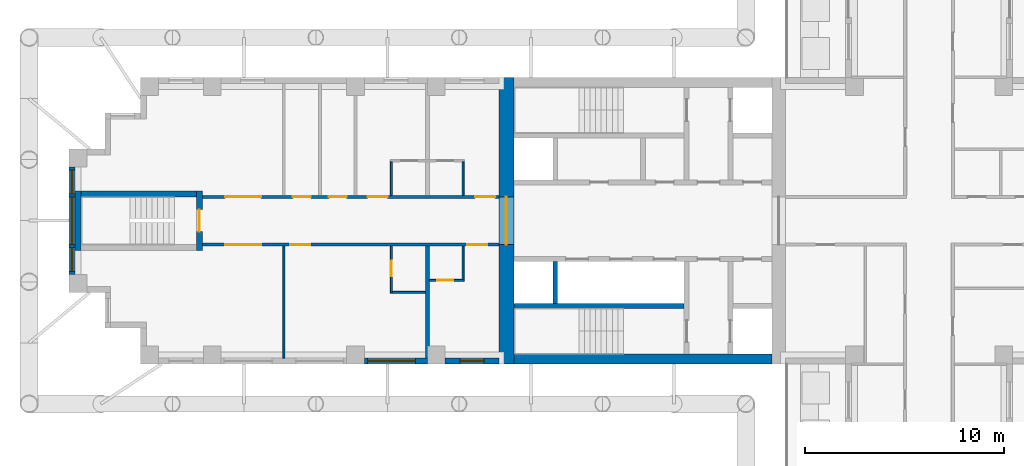
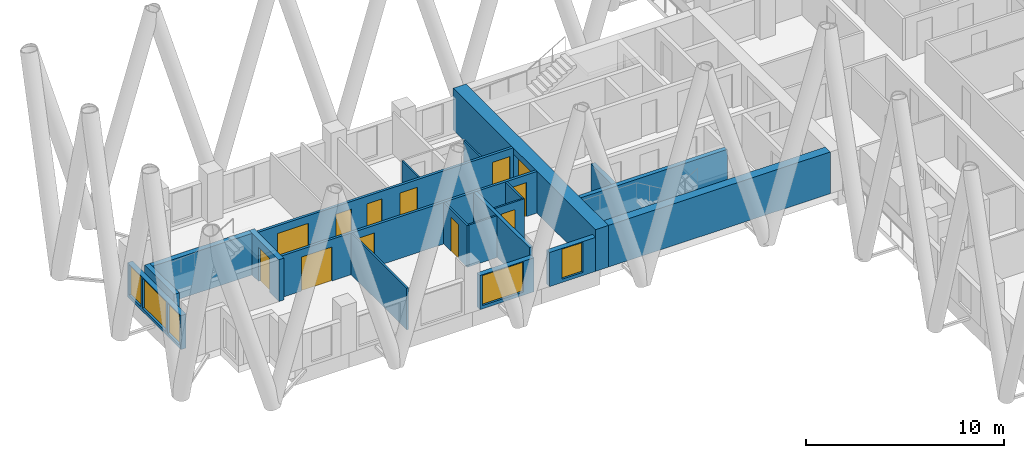
# One storey, part 6 of 16: 20 walls, 12 doors, 5 windows, 17 openings.
"""IFC4 building model written with IfcOpenShell, lengths in metres."""

from ifc_helpers import new_model, si_unit, direction, frame, frame_2d, origin, place, context, subcontext, project, spatial, rectangle, extrude, material, layer, layer_set, type_object, element, fill, save


model = new_model("IFC4")

# Units and contexts
model_context = context("Model", 3, precision=1e-05, world=origin(), true_north=direction((0.0, 1.0)))
body_context = subcontext(model_context, "Body", "Model", "MODEL_VIEW")
ifc_project = project(units=[si_unit("LENGTHUNIT", "METRE"), si_unit("AREAUNIT", "SQUARE_METRE"), si_unit("VOLUMEUNIT", "CUBIC_METRE"), si_unit("PLANEANGLEUNIT", "RADIAN"), si_unit("MASSUNIT", "GRAM", prefix="KILO")], contexts=[model_context])

# Site, building, storey
site_placement = place(None, origin())
site = spatial("IfcSite", under=ifc_project, at=site_placement, CompositionType="ELEMENT")
building_placement = place(site_placement, origin())
building = spatial("IfcBuilding", under=site, at=building_placement, Name="Fustian Cross Tower", CompositionType="ELEMENT")
storey_placement = place(building_placement, frame((0.0, 0.0, 44.699951171875)))
storey = spatial("IfcBuildingStorey", under=building, at=storey_placement, Name="L13", CompositionType="ELEMENT", Elevation=44.699951171875)

# Wall, openings, doors
ifc_material_1 = material(Name="Plasterboard on steel stud", Category="steel")
ifc_layer_1 = layer(ifc_material_1, 0.14990234375)
ifc_layer_set_1 = layer_set([ifc_layer_1], Name="Plasterboard on steel stud")
wall_type_1 = type_object("IfcWallType", Name="COMPARTMENT WALL 150 EI 60", PredefinedType="PARTITIONING", material=ifc_layer_set_1)
wall_1_placement = place(storey_placement, frame((-36.5, -1.199951171875, 0.0), z_axis=(0.0, 0.0, 1.0), x_axis=(1.0, 0.0, 0.0)))
wall_1 = element("IfcWall", 1, at=wall_1_placement, inside=storey, type_object=wall_type_1, Name="Partition 1", PredefinedType="PARTITIONING", context=body_context, shape_type="SweptSolid", body=[
    extrude(rectangle(XDim=14.89990234375, YDim=0.14990234375, at=frame_2d((7.449951171875, 0.0))), origin(), (0.0, 0.0, 1.0), 2.574951171875),
])
opening_1_placement = place(wall_1_placement, frame((13.300048828125, 0.0, 0.0)))
opening_1 = element("IfcOpeningElement", 2, at=opening_1_placement, cuts=wall_1, Name="Opening D08037", PredefinedType="OPENING", context=body_context, shape_type="SweptSolid", body=[
    extrude(rectangle(XDim=1.0, YDim=2.10009765625, at=frame_2d((0.5, 1.050048828125))), frame((0.0, 0.0849609375, 0.0), z_axis=(0.0, -1.0, 0.0), x_axis=(1.0, 0.0, 0.0)), (0.0, 0.0, 1.0), 0.169921875),
])
opening_2_placement = place(wall_1_placement, frame((4.409912109375, 0.0, 0.0)))
opening_2 = element("IfcOpeningElement", 3, at=opening_2_placement, cuts=wall_1, Name="Opening D08039", PredefinedType="OPENING", context=body_context, shape_type="SweptSolid", body=[
    extrude(rectangle(XDim=1.0, YDim=2.10009765625, at=frame_2d((0.5, 1.050048828125))), frame((0.0, 0.0849609375, 0.0), z_axis=(0.0, -1.0, 0.0), x_axis=(1.0, 0.0, 0.0)), (0.0, 0.0, 1.0), 0.169921875),
])
opening_3_placement = place(wall_1_placement, frame((1.14990234375, 0.0, 0.0)))
opening_3 = element("IfcOpeningElement", 4, at=opening_3_placement, cuts=wall_1, Name="Opening D08040", PredefinedType="OPENING", context=body_context, shape_type="SweptSolid", body=[
    extrude(rectangle(XDim=1.800048828125, YDim=2.10009765625, at=frame_2d((0.89990234375, 1.050048828125))), frame((0.0, 0.0849609375, 0.0), z_axis=(0.0, -1.0, 0.0), x_axis=(1.0, 0.0, 0.0)), (0.0, 0.0, 1.0), 0.169921875),
])
ifc_material_2 = material(Name="Timber fire door set", Category="wood")
door_type_1 = type_object("IfcDoorType", Name="FIRE DOUBLE DOOR 1800 FD30S", OperationType="DOUBLE_DOOR_DOUBLE_SWING", PredefinedType="DOOR", material=ifc_material_2)
door_1_placement = place(opening_3_placement, origin())
door_1 = element("IfcDoor", 5, at=door_1_placement, inside=storey, type_object=door_type_1, Name="Door D08040", OperationType="DOUBLE_DOOR_DOUBLE_SWING", OverallHeight=2.10009765625, OverallWidth=1.800048828125, PredefinedType="DOOR", context=body_context, shape_type="SweptSolid", body=[
    extrude(rectangle(XDim=1.800048828125, YDim=2.10009765625, at=frame_2d((0.89990234375, 1.050048828125))), frame((0.0, 0.02490234375, 0.0), z_axis=(0.0, -1.0, 0.0), x_axis=(1.0, 0.0, 0.0)), (0.0, 0.0, 1.0), 0.050048828125),
])
fill(opening_3, door_1)
ifc_material_3 = material(Name="Timber fire door set", Category="wood")
door_type_2 = type_object("IfcDoorType", Name="FIRE SWING DOOR 1000 FD30S", OperationType="SINGLE_SWING_LEFT", PredefinedType="DOOR", material=ifc_material_3)
door_2_placement = place(opening_1_placement, frame((1.0, 0.0, 0.0), z_axis=(0.0, 0.0, 1.0), x_axis=(-1.0, 0.0, 0.0)))
door_2 = element("IfcDoor", 6, at=door_2_placement, inside=storey, type_object=door_type_2, Name="Door D08037", OperationType="SINGLE_SWING_RIGHT", OverallHeight=2.10009765625, OverallWidth=1.0, PredefinedType="DOOR", context=body_context, shape_type="SweptSolid", body=[
    extrude(rectangle(XDim=1.0, YDim=2.10009765625, at=frame_2d((0.5, 1.050048828125))), frame((0.0, 0.02490234375, 0.0), z_axis=(0.0, -1.0, 0.0), x_axis=(1.0, 0.0, 0.0)), (0.0, 0.0, 1.0), 0.050048828125),
])
fill(opening_1, door_2)
door_3_placement = place(opening_2_placement, frame((1.0, 0.0, 0.0), z_axis=(0.0, 0.0, 1.0), x_axis=(-1.0, 0.0, 0.0)))
door_3 = element("IfcDoor", 7, at=door_3_placement, inside=storey, type_object=door_type_2, Name="Door D08039", OperationType="SINGLE_SWING_RIGHT", OverallHeight=2.10009765625, OverallWidth=1.0, PredefinedType="DOOR", context=body_context, shape_type="SweptSolid", body=[
    extrude(rectangle(XDim=1.0, YDim=2.10009765625, at=frame_2d((0.5, 1.050048828125))), frame((0.0, 0.02490234375, 0.0), z_axis=(0.0, -1.0, 0.0), x_axis=(1.0, 0.0, 0.0)), (0.0, 0.0, 1.0), 0.050048828125),
])
fill(opening_2, door_3)

wall_2_placement = place(storey_placement, frame((-36.5, 1.199951171875, 0.0), z_axis=(0.0, 0.0, 1.0), x_axis=(1.0, 0.0, 0.0)))
wall_2 = element("IfcWall", 8, at=wall_2_placement, inside=storey, type_object=wall_type_1, Name="Partition 2", PredefinedType="PARTITIONING", context=body_context, shape_type="SweptSolid", body=[
    extrude(rectangle(XDim=14.89990234375, YDim=0.14990234375, at=frame_2d((7.449951171875, 0.0))), origin(), (0.0, 0.0, 1.0), 2.574951171875),
])
opening_4_placement = place(wall_2_placement, frame((13.699951171875, 0.0, 0.0)))
opening_4 = element("IfcOpeningElement", 9, at=opening_4_placement, cuts=wall_2, Name="Opening D08042", PredefinedType="OPENING", context=body_context, shape_type="SweptSolid", body=[
    extrude(rectangle(XDim=1.0, YDim=2.10009765625, at=frame_2d((0.5, 1.050048828125))), frame((0.0, 0.0849609375, 0.0), z_axis=(0.0, -1.0, 0.0), x_axis=(1.0, 0.0, 0.0)), (0.0, 0.0, 1.0), 0.169921875),
])
opening_5_placement = place(wall_2_placement, frame((8.300048828125, 0.0, 0.0)))
opening_5 = element("IfcOpeningElement", 10, at=opening_5_placement, cuts=wall_2, Name="Opening D08044", PredefinedType="OPENING", context=body_context, shape_type="SweptSolid", body=[
    extrude(rectangle(XDim=1.0, YDim=2.10009765625, at=frame_2d((0.5, 1.050048828125))), frame((0.0, 0.0849609375, 0.0), z_axis=(0.0, -1.0, 0.0), x_axis=(1.0, 0.0, 0.0)), (0.0, 0.0, 1.0), 0.169921875),
])
opening_6_placement = place(wall_2_placement, frame((6.35009765625, 0.0, 0.0)))
opening_6 = element("IfcOpeningElement", 11, at=opening_6_placement, cuts=wall_2, Name="Opening D08045", PredefinedType="OPENING", context=body_context, shape_type="SweptSolid", body=[
    extrude(rectangle(XDim=0.89990234375, YDim=2.10009765625, at=frame_2d((0.449951171875, 1.050048828125))), frame((0.0, 0.0849609375, 0.0), z_axis=(0.0, -1.0, 0.0), x_axis=(1.0, 0.0, 0.0)), (0.0, 0.0, 1.0), 0.169921875),
])
opening_7_placement = place(wall_2_placement, frame((4.550048828125, 0.0, 0.0)))
opening_7 = element("IfcOpeningElement", 12, at=opening_7_placement, cuts=wall_2, Name="Opening D08046", PredefinedType="OPENING", context=body_context, shape_type="SweptSolid", body=[
    extrude(rectangle(XDim=0.89990234375, YDim=2.10009765625, at=frame_2d((0.449951171875, 1.050048828125))), frame((0.0, 0.0849609375, 0.0), z_axis=(0.0, -1.0, 0.0), x_axis=(1.0, 0.0, 0.0)), (0.0, 0.0, 1.0), 0.169921875),
])
opening_8_placement = place(wall_2_placement, frame((1.14990234375, 0.0, 0.0)))
opening_8 = element("IfcOpeningElement", 13, at=opening_8_placement, cuts=wall_2, Name="Opening D08047", PredefinedType="OPENING", context=body_context, shape_type="SweptSolid", body=[
    extrude(rectangle(XDim=1.800048828125, YDim=2.10009765625, at=frame_2d((0.89990234375, 1.050048828125))), frame((0.0, 0.0849609375, 0.0), z_axis=(0.0, -1.0, 0.0), x_axis=(1.0, 0.0, 0.0)), (0.0, 0.0, 1.0), 0.169921875),
])
door_4_placement = place(opening_8_placement, frame((1.800048828125, 0.0, 0.0), z_axis=(0.0, 0.0, 1.0), x_axis=(-1.0, 0.0, 0.0)))
door_4 = element("IfcDoor", 14, at=door_4_placement, inside=storey, type_object=door_type_1, Name="Door D08047", OperationType="DOUBLE_DOOR_DOUBLE_SWING", OverallHeight=2.10009765625, OverallWidth=1.800048828125, PredefinedType="DOOR", context=body_context, shape_type="SweptSolid", body=[
    extrude(rectangle(XDim=1.800048828125, YDim=2.10009765625, at=frame_2d((0.89990234375, 1.050048828125))), frame((0.0, 0.02490234375, 0.0), z_axis=(0.0, -1.0, 0.0), x_axis=(1.0, 0.0, 0.0)), (0.0, 0.0, 1.0), 0.050048828125),
])
fill(opening_8, door_4)
door_5_placement = place(opening_4_placement, origin())
door_5 = element("IfcDoor", 15, at=door_5_placement, inside=storey, type_object=door_type_2, Name="Door D08042", OperationType="SINGLE_SWING_RIGHT", OverallHeight=2.10009765625, OverallWidth=1.0, PredefinedType="DOOR", context=body_context, shape_type="SweptSolid", body=[
    extrude(rectangle(XDim=1.0, YDim=2.10009765625, at=frame_2d((0.5, 1.050048828125))), frame((0.0, 0.02490234375, 0.0), z_axis=(0.0, -1.0, 0.0), x_axis=(1.0, 0.0, 0.0)), (0.0, 0.0, 1.0), 0.050048828125),
])
fill(opening_4, door_5)
door_6_placement = place(opening_5_placement, origin())
door_6 = element("IfcDoor", 16, at=door_6_placement, inside=storey, type_object=door_type_2, Name="Door D08044", OperationType="SINGLE_SWING_RIGHT", OverallHeight=2.10009765625, OverallWidth=1.0, PredefinedType="DOOR", context=body_context, shape_type="SweptSolid", body=[
    extrude(rectangle(XDim=1.0, YDim=2.10009765625, at=frame_2d((0.5, 1.050048828125))), frame((0.0, 0.02490234375, 0.0), z_axis=(0.0, -1.0, 0.0), x_axis=(1.0, 0.0, 0.0)), (0.0, 0.0, 1.0), 0.050048828125),
])
fill(opening_5, door_6)
ifc_material_4 = material(Name="Timber fire door set", Category="wood")
door_type_3 = type_object("IfcDoorType", Name="FIRE SWING DOOR 900 FD30S", OperationType="SINGLE_SWING_LEFT", PredefinedType="DOOR", material=ifc_material_4)
door_7_placement = place(opening_6_placement, origin())
door_7 = element("IfcDoor", 17, at=door_7_placement, inside=storey, type_object=door_type_3, Name="Door D08045", OperationType="SINGLE_SWING_RIGHT", OverallHeight=2.10009765625, OverallWidth=0.89990234375, PredefinedType="DOOR", context=body_context, shape_type="SweptSolid", body=[
    extrude(rectangle(XDim=0.89990234375, YDim=2.10009765625, at=frame_2d((0.449951171875, 1.050048828125))), frame((0.0, 0.02490234375, 0.0), z_axis=(0.0, -1.0, 0.0), x_axis=(1.0, 0.0, 0.0)), (0.0, 0.0, 1.0), 0.050048828125),
])
fill(opening_6, door_7)
door_8_placement = place(opening_7_placement, origin())
door_8 = element("IfcDoor", 18, at=door_8_placement, inside=storey, type_object=door_type_3, Name="Door D08046", OperationType="SINGLE_SWING_RIGHT", OverallHeight=2.10009765625, OverallWidth=0.89990234375, PredefinedType="DOOR", context=body_context, shape_type="SweptSolid", body=[
    extrude(rectangle(XDim=0.89990234375, YDim=2.10009765625, at=frame_2d((0.449951171875, 1.050048828125))), frame((0.0, 0.02490234375, 0.0), z_axis=(0.0, -1.0, 0.0), x_axis=(1.0, 0.0, 0.0)), (0.0, 0.0, 1.0), 0.050048828125),
])
fill(opening_7, door_8)

# Wall, opening, door
ifc_material_5 = material(Name="Concrete C80/95", Category="concrete")
ifc_layer_2 = layer(ifc_material_5, 0.75)
ifc_layer_set_2 = layer_set([ifc_layer_2], Name="Concrete C80/95")
wall_type_2 = type_object("IfcWallType", Name="CORE END WALL 750 C80/95", PredefinedType="SHEAR", material=ifc_layer_set_2)
wall_3_placement = place(storey_placement, frame((-21.22509765625, -7.199951171875, 0.0), z_axis=(0.0, 0.0, 1.0), x_axis=(0.0, 1.0, 0.0)))
wall_3 = element("IfcWall", 19, at=wall_3_placement, inside=storey, type_object=wall_type_2, Name="Core end wall", PredefinedType="SHEAR", context=body_context, shape_type="SweptSolid", body=[
    extrude(rectangle(XDim=14.39990234375, YDim=0.75, at=frame_2d((7.199951171875, 0.0))), origin(), (0.0, 0.0, 1.0), 2.574951171875),
])
opening_9_placement = place(wall_3_placement, frame((6.0, 0.0, 0.0)))
opening_9 = element("IfcOpeningElement", 20, at=opening_9_placement, cuts=wall_3, Name="Opening CD-05-28", PredefinedType="OPENING", context=body_context, shape_type="SweptSolid", body=[
    extrude(rectangle(XDim=2.39990234375, YDim=2.199951171875, at=frame_2d((1.199951171875, 1.10009765625))), frame((0.0, 0.385009765625, 0.0), z_axis=(0.0, -1.0, 0.0), x_axis=(1.0, 0.0, 0.0)), (0.0, 0.0, 1.0), 0.77001953125),
])
ifc_material_6 = material(Name="Steel", Category="steel")
door_type_4 = type_object("IfcDoorType", Name="FIRE DOOR FD30S DOUBLE 2400X2200", OperationType="DOUBLE_DOOR_DOUBLE_SWING", PredefinedType="DOOR", material=ifc_material_6)
door_9_placement = place(opening_9_placement, frame((2.39990234375, 0.0, 0.0), z_axis=(0.0, 0.0, 1.0), x_axis=(-1.0, 0.0, 0.0)))
door_9 = element("IfcDoor", 21, at=door_9_placement, inside=storey, type_object=door_type_4, Name="Core door CD-05-28", OperationType="DOUBLE_DOOR_DOUBLE_SWING", OverallHeight=2.199951171875, OverallWidth=2.39990234375, PredefinedType="DOOR", context=body_context, shape_type="SweptSolid", body=[
    extrude(rectangle(XDim=2.39990234375, YDim=2.199951171875, at=frame_2d((1.199951171875, 1.10009765625))), frame((0.0, 0.02490234375, 0.0), z_axis=(0.0, -1.0, 0.0), x_axis=(1.0, 0.0, 0.0)), (0.0, 0.0, 1.0), 0.050048828125),
])
fill(opening_9, door_9)

# Walls
ifc_material_7 = material(Name="Concrete C80/95", Category="concrete")
ifc_layer_3 = layer(ifc_material_7, 0.5)
ifc_layer_set_3 = layer_set([ifc_layer_3], Name="Concrete C80/95")
wall_type_3 = type_object("IfcWallType", Name="CORE FACADE WALL 500 C80/95", PredefinedType="SHEAR", material=ifc_layer_set_3)
wall_4_placement = place(storey_placement, frame((-7.89990234375, -6.949951171875, 0.0), z_axis=(0.0, 0.0, 1.0), x_axis=(-1.0, 0.0, 0.0)))
element("IfcWall", 22, at=wall_4_placement, inside=storey, type_object=wall_type_3, Name="Core facade wall", PredefinedType="SHEAR", context=body_context, shape_type="SweptSolid", body=[
    extrude(rectangle(XDim=12.9501953125, YDim=0.5, at=frame_2d((6.47509765625, 0.0))), origin(), (0.0, 0.0, 1.0), 2.574951171875),
])
ifc_material_8 = material(Name="Concrete C50/60", Category="concrete")
ifc_layer_4 = layer(ifc_material_8, 0.25)
ifc_layer_set_4 = layer_set([ifc_layer_4], Name="Concrete C50/60")
wall_type_4 = type_object("IfcWallType", Name="CORE SHAFT WALL 250 C50/60", PredefinedType="SHEAR", material=ifc_layer_set_4)
wall_5_placement = place(storey_placement, frame((-12.300048828125, -4.27490234375, 0.0), z_axis=(0.0, 0.0, 1.0), x_axis=(-1.0, 0.0, 0.0)))
element("IfcWall", 23, at=wall_5_placement, inside=storey, type_object=wall_type_4, Name="Core shaft wall", PredefinedType="SHEAR", context=body_context, shape_type="SweptSolid", body=[
    extrude(rectangle(XDim=8.550048828125, YDim=0.25, at=frame_2d((4.27490234375, 0.0))), origin(), (0.0, 0.0, 1.0), 2.574951171875),
])
ifc_material_9 = material(Name="Plasterboard on steel stud", Category="steel")
ifc_layer_5 = layer(ifc_material_9, 0.10009765625)
ifc_layer_set_5 = layer_set([ifc_layer_5], Name="Plasterboard on steel stud")
wall_type_5 = type_object("IfcWallType", Name="PARTITION 100 STUD", PredefinedType="PARTITIONING", material=ifc_layer_set_5)
wall_6_placement = place(storey_placement, frame((-32.39990234375, -6.89990234375, 0.0), z_axis=(0.0, 0.0, 1.0), x_axis=(0.0, 1.0, 0.0)))
element("IfcWall", 24, at=wall_6_placement, inside=storey, type_object=wall_type_5, Name="Partition 3", PredefinedType="PARTITIONING", context=body_context, shape_type="SweptSolid", body=[
    extrude(rectangle(XDim=5.625, YDim=0.10009765625, at=frame_2d((2.8125, 0.0))), origin(), (0.0, 0.0, 1.0), 2.574951171875),
])

# Wall, opening, door
wall_7_placement = place(storey_placement, frame((-27.0, -3.64990234375, 0.0), z_axis=(0.0, 0.0, 1.0), x_axis=(0.0, 1.0, 0.0)))
wall_7 = element("IfcWall", 25, at=wall_7_placement, inside=storey, type_object=wall_type_5, Name="Partition 7", PredefinedType="PARTITIONING", context=body_context, shape_type="SweptSolid", body=[
    extrude(rectangle(XDim=2.375, YDim=0.10009765625, at=frame_2d((1.1875, 0.0))), origin(), (0.0, 0.0, 1.0), 2.574951171875),
])
opening_10_placement = place(wall_7_placement, frame((0.85009765625, 0.0, 0.0)))
opening_10 = element("IfcOpeningElement", 26, at=opening_10_placement, cuts=wall_7, Name="Opening D08038", PredefinedType="OPENING", context=body_context, shape_type="SweptSolid", body=[
    extrude(rectangle(XDim=0.800048828125, YDim=2.10009765625, at=frame_2d((0.39990234375, 1.050048828125))), frame((0.0, 0.06005859375, 0.0), z_axis=(0.0, -1.0, 0.0), x_axis=(1.0, 0.0, 0.0)), (0.0, 0.0, 1.0), 0.1201171875),
])
ifc_material_10 = material(Name="Painted timber", Category="wood")
door_type_5 = type_object("IfcDoorType", Name="SWING DOOR 800", OperationType="SINGLE_SWING_LEFT", PredefinedType="DOOR", material=ifc_material_10)
door_10_placement = place(opening_10_placement, frame((0.800048828125, 0.0, 0.0), z_axis=(0.0, 0.0, 1.0), x_axis=(-1.0, 0.0, 0.0)))
door_10 = element("IfcDoor", 27, at=door_10_placement, inside=storey, type_object=door_type_5, Name="Door D08038", OperationType="SINGLE_SWING_RIGHT", OverallHeight=2.10009765625, OverallWidth=0.800048828125, PredefinedType="DOOR", context=body_context, shape_type="SweptSolid", body=[
    extrude(rectangle(XDim=0.800048828125, YDim=2.10009765625, at=frame_2d((0.39990234375, 1.050048828125))), frame((0.0, 0.02490234375, 0.0), z_axis=(0.0, -1.0, 0.0), x_axis=(1.0, 0.0, 0.0)), (0.0, 0.0, 1.0), 0.050048828125),
])
fill(opening_10, door_10)

# Walls
wall_8_placement = place(storey_placement, frame((-26.949951171875, -3.60009765625, 0.0), z_axis=(0.0, 0.0, 1.0), x_axis=(1.0, 0.0, 0.0)))
element("IfcWall", 28, at=wall_8_placement, inside=storey, type_object=wall_type_5, Name="Partition 8", PredefinedType="PARTITIONING", context=body_context, shape_type="SweptSolid", body=[
    extrude(rectangle(XDim=1.64990234375, YDim=0.10009765625, at=frame_2d((0.824951171875, 0.0))), origin(), (0.0, 0.0, 1.0), 2.574951171875),
])
wall_9_placement = place(storey_placement, frame((-27.0, 1.27490234375, 0.0), z_axis=(0.0, 0.0, 1.0), x_axis=(0.0, 1.0, 0.0)))
element("IfcWall", 29, at=wall_9_placement, inside=storey, type_object=wall_type_5, Name="Partition 9", PredefinedType="PARTITIONING", context=body_context, shape_type="SweptSolid", body=[
    extrude(rectangle(XDim=1.675048828125, YDim=0.10009765625, at=frame_2d((0.83740234375, 0.0))), origin(), (0.0, 0.0, 1.0), 2.574951171875),
])

# Wall, opening, door
wall_10_placement = place(storey_placement, frame((-25.10009765625, -3.0, 0.0), z_axis=(0.0, 0.0, 1.0), x_axis=(1.0, 0.0, 0.0)))
wall_10 = element("IfcWall", 30, at=wall_10_placement, inside=storey, type_object=wall_type_5, Name="Partition 12", PredefinedType="PARTITIONING", context=body_context, shape_type="SweptSolid", body=[
    extrude(rectangle(XDim=1.75, YDim=0.10009765625, at=frame_2d((0.875, 0.0))), origin(), (0.0, 0.0, 1.0), 2.574951171875),
])
opening_11_placement = place(wall_10_placement, frame((0.39990234375, 0.0, 0.0)))
opening_11 = element("IfcOpeningElement", 31, at=opening_11_placement, cuts=wall_10, Name="Opening D08036", PredefinedType="OPENING", context=body_context, shape_type="SweptSolid", body=[
    extrude(rectangle(XDim=0.800048828125, YDim=2.10009765625, at=frame_2d((0.39990234375, 1.050048828125))), frame((0.0, 0.06005859375, 0.0), z_axis=(0.0, -1.0, 0.0), x_axis=(1.0, 0.0, 0.0)), (0.0, 0.0, 1.0), 0.1201171875),
])
door_11_placement = place(opening_11_placement, origin())
door_11 = element("IfcDoor", 32, at=door_11_placement, inside=storey, type_object=door_type_5, Name="Door D08036", OperationType="SINGLE_SWING_RIGHT", OverallHeight=2.10009765625, OverallWidth=0.800048828125, PredefinedType="DOOR", context=body_context, shape_type="SweptSolid", body=[
    extrude(rectangle(XDim=0.800048828125, YDim=2.10009765625, at=frame_2d((0.39990234375, 1.050048828125))), frame((0.0, 0.02490234375, 0.0), z_axis=(0.0, -1.0, 0.0), x_axis=(1.0, 0.0, 0.0)), (0.0, 0.0, 1.0), 0.050048828125),
])
fill(opening_11, door_11)

# Walls
for number, where, z_axis, x_axis, name in (
    (33, (-23.39990234375, -2.949951171875, 0.0), (0.0, 0.0, 1.0), (0.0, 1.0, 0.0), "Partition 14"),
    (34, (-23.39990234375, 1.27490234375, 0.0), (0.0, 0.0, 1.0), (0.0, 1.0, 0.0), "Partition 15"),
):
    element("IfcWall", number, at=place(storey_placement, frame(where, z_axis=z_axis, x_axis=x_axis)), inside=storey, type_object=wall_type_5, Name=name, PredefinedType="PARTITIONING", context=body_context, shape_type="SweptSolid", body=[
        extrude(rectangle(XDim=1.675048828125, YDim=0.10009765625, at=frame_2d((0.83740234375, 0.0))), origin(), (0.0, 0.0, 1.0), 2.574951171875),
    ])
ifc_material_11 = material(Name="Plasterboard on steel stud", Category="steel")
ifc_layer_6 = layer(ifc_material_11, 0.199951171875)
ifc_layer_set_6 = layer_set([ifc_layer_6], Name="Plasterboard on steel stud")
wall_type_6 = type_object("IfcWallType", Name="PARTY WALL 200 EI 60", PredefinedType="PARTITIONING", material=ifc_layer_set_6)
wall_11_placement = place(storey_placement, frame((-25.199951171875, -6.89990234375, 0.0), z_axis=(0.0, 0.0, 1.0), x_axis=(0.0, 1.0, 0.0)))
element("IfcWall", 35, at=wall_11_placement, inside=storey, type_object=wall_type_6, Name="Partition 11", PredefinedType="PARTITIONING", context=body_context, shape_type="SweptSolid", body=[
    extrude(rectangle(XDim=5.625, YDim=0.199951171875, at=frame_2d((2.8125, 0.0))), origin(), (0.0, 0.0, 1.0), 2.574951171875),
])
ifc_material_12 = material(Name="Concrete C40/50", Category="concrete")
ifc_layer_7 = layer(ifc_material_12, 0.25)
ifc_layer_set_7 = layer_set([ifc_layer_7], Name="Concrete C40/50")
wall_type_7 = type_object("IfcWallType", Name="SHAFT PARTITION WALL 250 C40/50", PredefinedType="PARTITIONING", material=ifc_layer_set_7)
wall_12_placement = place(storey_placement, frame((-18.77490234375, -2.050048828125, 0.0), z_axis=(0.0, 0.0, 1.0), x_axis=(0.0, -1.0, 0.0)))
element("IfcWall", 36, at=wall_12_placement, inside=storey, type_object=wall_type_7, Name="Core shaft wall", PredefinedType="PARTITIONING", context=body_context, shape_type="SweptSolid", body=[
    extrude(rectangle(XDim=2.099853515625, YDim=0.25, at=frame_2d((1.0498046875, 0.0))), origin(), (0.0, 0.0, 1.0), 2.574951171875),
])

# Wall, opening, door
ifc_material_13 = material(Name="Concrete C50/60", Category="concrete")
ifc_layer_8 = layer(ifc_material_13, 0.300048828125)
ifc_layer_set_8 = layer_set([ifc_layer_8], Name="Concrete C50/60")
wall_type_8 = type_object("IfcWallType", Name="STAIR ENCLOSURE WALL 300 C50/60", PredefinedType="SHEAR", material=ifc_layer_set_8)
wall_13_placement = place(storey_placement, frame((-36.64990234375, -1.5, 0.0), z_axis=(0.0, 0.0, 1.0), x_axis=(0.0, 1.0, 0.0)))
wall_13 = element("IfcWall", 37, at=wall_13_placement, inside=storey, type_object=wall_type_8, Name="Stair enclosure wall", PredefinedType="SHEAR", context=body_context, shape_type="SweptSolid", body=[
    extrude(rectangle(XDim=3.0, YDim=0.300048828125, at=frame_2d((1.5, 0.0))), origin(), (0.0, 0.0, 1.0), 2.574951171875),
])
opening_12_placement = place(wall_13_placement, frame((0.949951171875, 0.0, 0.0)))
opening_12 = element("IfcOpeningElement", 38, at=opening_12_placement, cuts=wall_13, Name="Opening CD-05-34", PredefinedType="OPENING", context=body_context, shape_type="SweptSolid", body=[
    extrude(rectangle(XDim=1.10009765625, YDim=2.10009765625, at=frame_2d((0.550048828125, 1.050048828125))), frame((0.0, 0.159912109375, 0.0), z_axis=(0.0, -1.0, 0.0), x_axis=(1.0, 0.0, 0.0)), (0.0, 0.0, 1.0), 0.320068359375),
])
ifc_material_14 = material(Name="Steel", Category="steel")
door_type_6 = type_object("IfcDoorType", Name="FIRE DOOR FD60S 1100X2100", OperationType="SINGLE_SWING_LEFT", PredefinedType="DOOR", material=ifc_material_14)
door_12_placement = place(opening_12_placement, origin())
door_12 = element("IfcDoor", 39, at=door_12_placement, inside=storey, type_object=door_type_6, Name="Core door CD-05-34", OperationType="SINGLE_SWING_LEFT", OverallHeight=2.10009765625, OverallWidth=1.10009765625, PredefinedType="DOOR", context=body_context, shape_type="SweptSolid", body=[
    extrude(rectangle(XDim=1.10009765625, YDim=2.10009765625, at=frame_2d((0.550048828125, 1.050048828125))), frame((0.0, 0.02490234375, 0.0), z_axis=(0.0, -1.0, 0.0), x_axis=(1.0, 0.0, 0.0)), (0.0, 0.0, 1.0), 0.050048828125),
])
fill(opening_12, door_12)

# Walls
wall_14_placement = place(storey_placement, frame((-42.75, -1.5, 0.0), z_axis=(0.0, 0.0, 1.0), x_axis=(0.0, 1.0, 0.0)))
element("IfcWall", 40, at=wall_14_placement, inside=storey, type_object=wall_type_8, Name="Stair enclosure wall", PredefinedType="SHEAR", context=body_context, shape_type="SweptSolid", body=[
    extrude(rectangle(XDim=3.0, YDim=0.300048828125, at=frame_2d((1.5, 0.0))), origin(), (0.0, 0.0, 1.0), 2.574951171875),
])
wall_15_placement = place(storey_placement, frame((-36.800048828125, 1.35009765625, 0.0), z_axis=(0.0, 0.0, 1.0), x_axis=(-1.0, 0.0, 0.0)))
element("IfcWall", 41, at=wall_15_placement, inside=storey, type_object=wall_type_8, Name="Stair enclosure wall", PredefinedType="SHEAR", context=body_context, shape_type="SweptSolid", body=[
    extrude(rectangle(XDim=5.800048828125, YDim=0.300048828125, at=frame_2d((2.89990234375, 0.0))), origin(), (0.0, 0.0, 1.0), 2.574951171875),
])

# Wall, openings, windows
ifc_material_15 = material(Name="Dark aluminium cladding on insulated backing wall", Category="aluminium")
ifc_layer_9 = layer(ifc_material_15, 0.300048828125)
ifc_layer_set_9 = layer_set([ifc_layer_9], Name="Dark aluminium cladding on insulated backing wall")
wall_type_9 = type_object("IfcWallType", Name="XW1 EXTERNAL WALL 300", PredefinedType="SOLIDWALL", material=ifc_layer_set_9)
wall_16_placement = place(storey_placement, frame((-43.050048828125, 2.699951171875, 0.0), z_axis=(0.0, 0.0, 1.0), x_axis=(0.0, -1.0, 0.0)))
wall_16 = element("IfcWall", 42, at=wall_16_placement, inside=storey, type_object=wall_type_9, Name="External wall", PredefinedType="SOLIDWALL", context=body_context, shape_type="SweptSolid", body=[
    extrude(rectangle(XDim=5.39990234375, YDim=0.300048828125, at=frame_2d((2.699951171875, 0.0))), origin(), (0.0, 0.0, 1.0), 2.10009765625),
])
opening_13_placement = place(wall_16_placement, frame((1.5, 0.0, 0.199951171875)))
opening_13 = element("IfcOpeningElement", 43, at=opening_13_placement, cuts=wall_16, Name="Opening WN1", PredefinedType="OPENING", context=body_context, shape_type="SweptSolid", body=[
    extrude(rectangle(XDim=2.39990234375, YDim=1.85009765625, at=frame_2d((1.199951171875, 0.925048828125))), frame((0.0, 0.159912109375, 0.0), z_axis=(0.0, -1.0, 0.0), x_axis=(1.0, 0.0, 0.0)), (0.0, 0.0, 1.0), 0.320068359375),
])
opening_14_placement = place(wall_16_placement, frame((0.14990234375, 0.0, 0.199951171875)))
opening_14 = element("IfcOpeningElement", 44, at=opening_14_placement, cuts=wall_16, Name="Opening WN3", PredefinedType="OPENING", context=body_context, shape_type="SweptSolid", body=[
    extrude(rectangle(XDim=1.199951171875, YDim=1.85009765625, at=frame_2d((0.60009765625, 0.925048828125))), frame((0.0, 0.159912109375, 0.0), z_axis=(0.0, -1.0, 0.0), x_axis=(1.0, 0.0, 0.0)), (0.0, 0.0, 1.0), 0.320068359375),
])
opening_15_placement = place(wall_16_placement, frame((4.050048828125, 0.0, 0.199951171875)))
opening_15 = element("IfcOpeningElement", 45, at=opening_15_placement, cuts=wall_16, Name="Opening WN3", PredefinedType="OPENING", context=body_context, shape_type="SweptSolid", body=[
    extrude(rectangle(XDim=1.199951171875, YDim=1.85009765625, at=frame_2d((0.60009765625, 0.925048828125))), frame((0.0, 0.159912109375, 0.0), z_axis=(0.0, -1.0, 0.0), x_axis=(1.0, 0.0, 0.0)), (0.0, 0.0, 1.0), 0.320068359375),
])
ifc_material_16 = material(Name="Dark anodised aluminium and double glazing", Category="aluminium")
window_type_1 = type_object("IfcWindowType", Name="WN1 WINDOW 2400X1850", PartitioningType="SINGLE_PANEL", PredefinedType="WINDOW", material=ifc_material_16)
window_1_placement = place(opening_13_placement, origin())
window_1 = element("IfcWindow", 46, at=window_1_placement, inside=storey, type_object=window_type_1, Name="Window", OverallHeight=1.85009765625, OverallWidth=2.39990234375, PartitioningType="SINGLE_PANEL", PredefinedType="WINDOW", context=body_context, shape_type="SweptSolid", body=[
    extrude(rectangle(XDim=2.39990234375, YDim=1.85009765625, at=frame_2d((1.199951171875, 0.925048828125))), frame((0.0, 0.030029296875, 0.0), z_axis=(0.0, -1.0, 0.0), x_axis=(1.0, 0.0, 0.0)), (0.0, 0.0, 1.0), 0.06005859375),
])
fill(opening_13, window_1)
ifc_material_17 = material(Name="Dark anodised aluminium and double glazing", Category="aluminium")
window_type_2 = type_object("IfcWindowType", Name="WN3 WINDOW 1200X1850", PartitioningType="SINGLE_PANEL", PredefinedType="WINDOW", material=ifc_material_17)
window_2_placement = place(opening_14_placement, origin())
window_2 = element("IfcWindow", 47, at=window_2_placement, inside=storey, type_object=window_type_2, Name="Window", OverallHeight=1.85009765625, OverallWidth=1.199951171875, PartitioningType="SINGLE_PANEL", PredefinedType="WINDOW", context=body_context, shape_type="SweptSolid", body=[
    extrude(rectangle(XDim=1.199951171875, YDim=1.85009765625, at=frame_2d((0.60009765625, 0.925048828125))), frame((0.0, 0.030029296875, 0.0), z_axis=(0.0, -1.0, 0.0), x_axis=(1.0, 0.0, 0.0)), (0.0, 0.0, 1.0), 0.06005859375),
])
fill(opening_14, window_2)
window_3_placement = place(opening_15_placement, origin())
window_3 = element("IfcWindow", 48, at=window_3_placement, inside=storey, type_object=window_type_2, Name="Window", OverallHeight=1.85009765625, OverallWidth=1.199951171875, PartitioningType="SINGLE_PANEL", PredefinedType="WINDOW", context=body_context, shape_type="SweptSolid", body=[
    extrude(rectangle(XDim=1.199951171875, YDim=1.85009765625, at=frame_2d((0.60009765625, 0.925048828125))), frame((0.0, 0.030029296875, 0.0), z_axis=(0.0, -1.0, 0.0), x_axis=(1.0, 0.0, 0.0)), (0.0, 0.0, 1.0), 0.06005859375),
])
fill(opening_15, window_3)

# Wall, opening, window
wall_17_placement = place(storey_placement, frame((-28.35009765625, -7.050048828125, 0.0), z_axis=(0.0, 0.0, 1.0), x_axis=(1.0, 0.0, 0.0)))
wall_17 = element("IfcWall", 49, at=wall_17_placement, inside=storey, type_object=wall_type_9, Name="External wall", PredefinedType="SOLIDWALL", context=body_context, shape_type="SweptSolid", body=[
    extrude(rectangle(XDim=3.150146484375, YDim=0.300048828125, at=frame_2d((1.5751953125, 0.0))), origin(), (0.0, 0.0, 1.0), 2.10009765625),
])
opening_16_placement = place(wall_17_placement, frame((0.14990234375, 0.0, 0.199951171875)))
opening_16 = element("IfcOpeningElement", 50, at=opening_16_placement, cuts=wall_17, Name="Opening WN1", PredefinedType="OPENING", context=body_context, shape_type="SweptSolid", body=[
    extrude(rectangle(XDim=2.39990234375, YDim=1.85009765625, at=frame_2d((1.199951171875, 0.925048828125))), frame((0.0, 0.159912109375, 0.0), z_axis=(0.0, -1.0, 0.0), x_axis=(1.0, 0.0, 0.0)), (0.0, 0.0, 1.0), 0.320068359375),
])
window_4_placement = place(opening_16_placement, origin())
window_4 = element("IfcWindow", 51, at=window_4_placement, inside=storey, type_object=window_type_1, Name="Window", OverallHeight=1.85009765625, OverallWidth=2.39990234375, PartitioningType="SINGLE_PANEL", PredefinedType="WINDOW", context=body_context, shape_type="SweptSolid", body=[
    extrude(rectangle(XDim=2.39990234375, YDim=1.85009765625, at=frame_2d((1.199951171875, 0.925048828125))), frame((0.0, 0.030029296875, 0.0), z_axis=(0.0, -1.0, 0.0), x_axis=(1.0, 0.0, 0.0)), (0.0, 0.0, 1.0), 0.06005859375),
])
fill(opening_16, window_4)

wall_18_placement = place(storey_placement, frame((-24.300048828125, -7.050048828125, 0.0), z_axis=(0.0, 0.0, 1.0), x_axis=(1.0, 0.0, 0.0)))
wall_18 = element("IfcWall", 52, at=wall_18_placement, inside=storey, type_object=wall_type_9, Name="External wall", PredefinedType="SOLIDWALL", context=body_context, shape_type="SweptSolid", body=[
    extrude(rectangle(XDim=2.699951171875, YDim=0.300048828125, at=frame_2d((1.35009765625, 0.0))), origin(), (0.0, 0.0, 1.0), 2.10009765625),
])
opening_17_placement = place(wall_18_placement, frame((0.75, 0.0, 0.199951171875)))
opening_17 = element("IfcOpeningElement", 53, at=opening_17_placement, cuts=wall_18, Name="Opening WN3", PredefinedType="OPENING", context=body_context, shape_type="SweptSolid", body=[
    extrude(rectangle(XDim=1.199951171875, YDim=1.85009765625, at=frame_2d((0.60009765625, 0.925048828125))), frame((0.0, 0.159912109375, 0.0), z_axis=(0.0, -1.0, 0.0), x_axis=(1.0, 0.0, 0.0)), (0.0, 0.0, 1.0), 0.320068359375),
])
window_5_placement = place(opening_17_placement, origin())
window_5 = element("IfcWindow", 54, at=window_5_placement, inside=storey, type_object=window_type_2, Name="Window", OverallHeight=1.85009765625, OverallWidth=1.199951171875, PartitioningType="SINGLE_PANEL", PredefinedType="WINDOW", context=body_context, shape_type="SweptSolid", body=[
    extrude(rectangle(XDim=1.199951171875, YDim=1.85009765625, at=frame_2d((0.60009765625, 0.925048828125))), frame((0.0, 0.030029296875, 0.0), z_axis=(0.0, -1.0, 0.0), x_axis=(1.0, 0.0, 0.0)), (0.0, 0.0, 1.0), 0.06005859375),
])
fill(opening_17, window_5)

save(model, "model.ifc")
